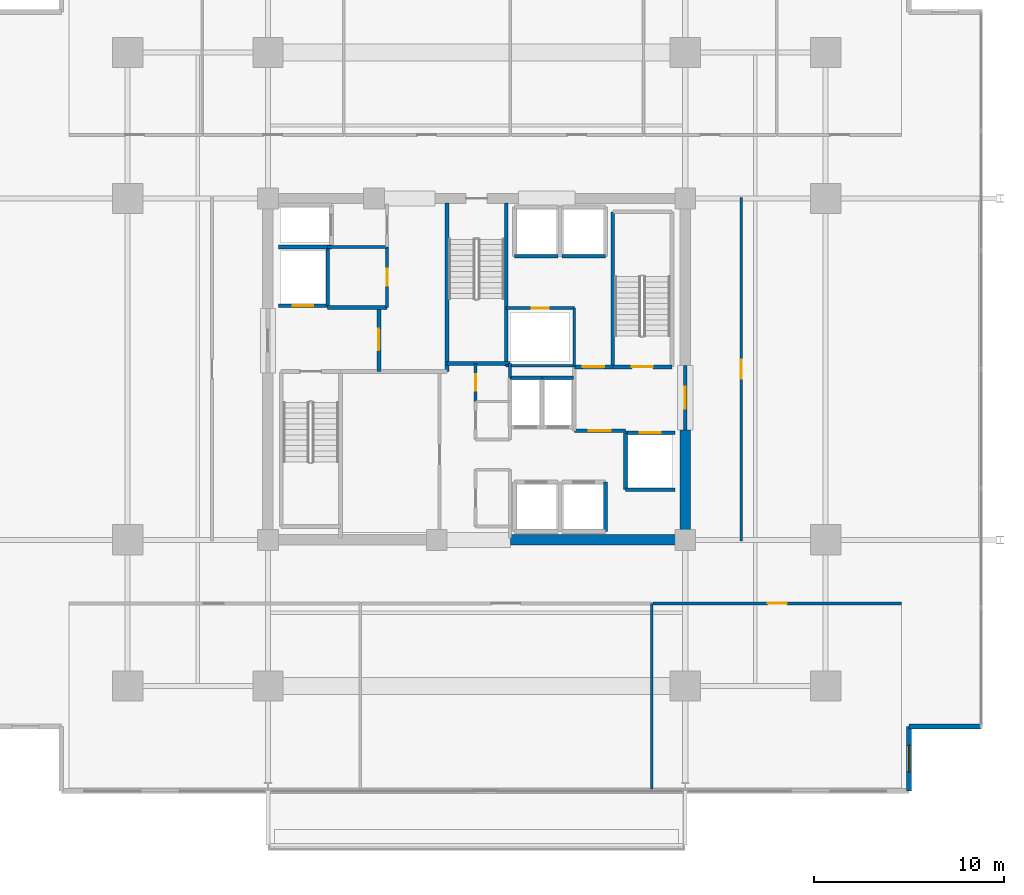
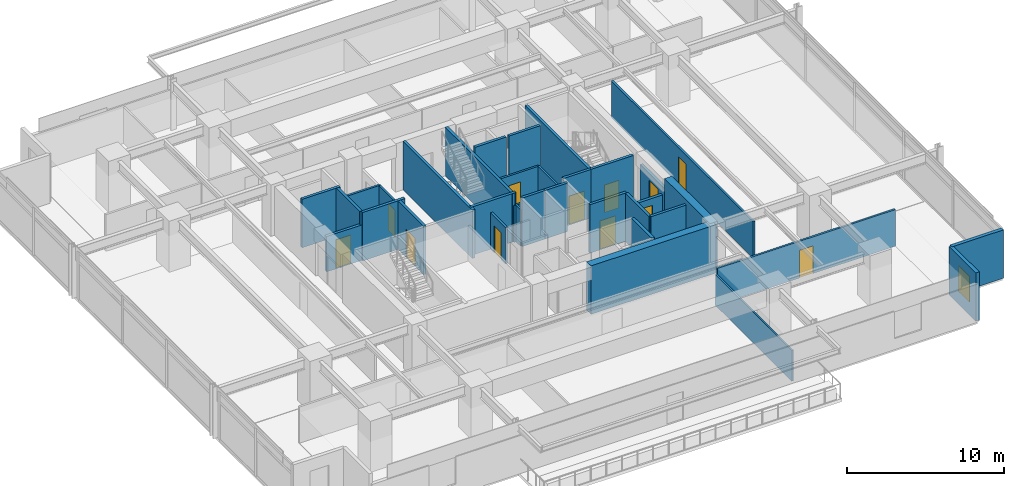
# One storey, part 15 of 21: 35 walls, 12 doors, 1 window, 13 openings.
"""IFC4 building model written with IfcOpenShell, lengths in metres."""

import ifcopenshell
import ifcopenshell.guid

model = None  # the IFC model being written
_history = None  # IfcOwnerHistory: only IFC2X3 demands one
_inside = {}  # id of a spatial element -> (the spatial element, [elements in it])
_under = {}  # id of a project, library or spatial element -> (it, [spatial elements below it])
_declared = {}  # id of a project -> (the project, [libraries it declares])
_typed = {}  # id of a type object -> (the type object, [elements of that type])
_made_of = {}  # id of a material, layer set ... -> (it, [elements and type objects made of it])


def new_model(schema):
    """Start an empty IFC model of exactly this schema.

    Asked for "IFC4X3", IfcOpenShell would pick the latest addendum, in which some entities
    have other attributes; the version numbers below select the first issue.
    IFC2X3 requires an IfcOwnerHistory on every rooted entity: one is made here for all.
    """
    global model, _history
    if schema == "IFC4X3":
        model = ifcopenshell.file(schema_version=(4, 3, 0, 0))
    else:
        model = ifcopenshell.file(schema=schema)
    _inside.clear()
    _under.clear()
    _declared.clear()
    _typed.clear()
    _made_of.clear()
    _history = None
    if model.schema == "IFC2X3":
        org = make("IfcOrganization", Name="unknown")
        user = make(
            "IfcPersonAndOrganization",
            ThePerson=make("IfcPerson", FamilyName="unknown"),
            TheOrganization=org,
        )
        app = make(
            "IfcApplication",
            ApplicationDeveloper=org,
            Version="unknown",
            ApplicationFullName="unknown",
            ApplicationIdentifier="unknown",
        )
        _history = make(
            "IfcOwnerHistory",
            OwningUser=user,
            OwningApplication=app,
            ChangeAction="ADDED",
            CreationDate=0,
        )
    return model


def make(cls, **values):
    """One entity of the class cls with the attributes given. An attribute that is None is left unset."""
    return model.create_entity(
        cls, **{name: value for name, value in values.items() if value is not None}
    )


def rooted(cls, **values):
    """An entity with a GlobalId (a new one), such as an element, a storey or a relation."""
    return make(cls, GlobalId=ifcopenshell.guid.new(), OwnerHistory=_history, **values)


def si_unit(unit_type, name, prefix=None):
    """IfcSIUnit, for example si_unit("LENGTHUNIT", "METRE", prefix="MILLI")."""
    return make("IfcSIUnit", UnitType=unit_type, Prefix=prefix, Name=name)


def assignment(units):
    """IfcUnitAssignment: the units of a project."""
    return None if units is None else make("IfcUnitAssignment", Units=units)


def point(xyz):
    """IfcCartesianPoint."""
    return None if xyz is None else make("IfcCartesianPoint", Coordinates=xyz)


def direction(xyz):
    """IfcDirection."""
    return None if xyz is None else make("IfcDirection", DirectionRatios=xyz)


def frame(location, z_axis=None, x_axis=None):
    """IfcAxis2Placement3D, a coordinate frame: its origin and axes. An axis left out is left unset."""
    return make(
        "IfcAxis2Placement3D",
        Location=point(location),
        Axis=direction(z_axis),
        RefDirection=direction(x_axis),
    )


def frame_2d(location, x_axis=None):
    """IfcAxis2Placement2D, a coordinate frame in the plane: its origin and x axis."""
    return make(
        "IfcAxis2Placement2D", Location=point(location), RefDirection=direction(x_axis)
    )


def origin():
    """The frame at (0, 0, 0) with its axes left unset."""
    return frame((0.0, 0.0, 0.0))


def place(relative_to, where):
    """IfcLocalPlacement: puts the frame where relative to a parent placement (None: the world)."""
    return make(
        "IfcLocalPlacement", PlacementRelTo=relative_to, RelativePlacement=where
    )


def context(
    kind, dimensions, precision=None, world=None, true_north=None, identifier=None
):
    """IfcGeometricRepresentationContext, for example the 3D "Model" context."""
    return make(
        "IfcGeometricRepresentationContext",
        ContextIdentifier=identifier,
        ContextType=kind,
        CoordinateSpaceDimension=dimensions,
        Precision=precision,
        WorldCoordinateSystem=world,
        TrueNorth=true_north,
    )


def subcontext(parent, identifier, kind, view, scale=None):
    """IfcGeometricRepresentationSubContext, for example "Body" below "Model"."""
    return make(
        "IfcGeometricRepresentationSubContext",
        ContextIdentifier=identifier,
        ContextType=kind,
        ParentContext=parent,
        TargetScale=scale,
        TargetView=view,
    )


def project(units=None, contexts=None):
    """IfcProject with its units and contexts."""
    return rooted(
        "IfcProject",
        Name="project",
        RepresentationContexts=contexts,
        UnitsInContext=assignment(units),
    )


def spatial(cls, under=None, at=None, **own):
    """A site, building, storey or space (cls), placed at a placement, below another one or the project."""
    s = rooted(cls, ObjectPlacement=at, **own)
    if under is not None:
        _under.setdefault(under.id(), (under, []))[1].append(s)
    return s


def profile(cls, at=None, kind="AREA", **sizes):
    """A parametric profile (cls). Its sizes go by their IFC names, for example OverallWidth=200.0."""
    return make(cls, ProfileType=kind, Position=at, **sizes)


def rectangle(**sizes):
    """IfcRectangleProfileDef."""
    return profile("IfcRectangleProfileDef", **sizes)


def extrude(swept, where, along, depth):
    """IfcExtrudedAreaSolid: the profile swept, set in the frame where, extruded along a direction by depth."""
    return make(
        "IfcExtrudedAreaSolid",
        SweptArea=swept,
        Position=where,
        ExtrudedDirection=direction(along),
        Depth=depth,
    )


def shape(context_of_items, identifier, shape_type, items):
    """IfcShapeRepresentation: the items that make up one representation, for example the "Body"."""
    return make(
        "IfcShapeRepresentation",
        ContextOfItems=context_of_items,
        RepresentationIdentifier=identifier,
        RepresentationType=shape_type,
        Items=items,
    )


def material(Name=None, Category=None):
    """IfcMaterial."""
    return make("IfcMaterial", Name=Name, Category=Category)


def layer(
    of_material, thickness, ventilated=None, Name=None, Category=None, Priority=None
):
    """IfcMaterialLayer: one layer of a wall or slab, of a material (None: an air gap)."""
    return make(
        "IfcMaterialLayer",
        Material=of_material,
        LayerThickness=thickness,
        IsVentilated=ventilated,
        Name=Name,
        Category=Category,
        Priority=Priority,
    )


def layer_set(layers, Name=None):
    """IfcMaterialLayerSet."""
    return make("IfcMaterialLayerSet", MaterialLayers=layers, LayerSetName=Name)


def made_of(thing, what):
    """Note that an element or type object is made of a material, layer set ...; save() writes the relation."""
    if what is not None:
        _made_of.setdefault(what.id(), (what, []))[1].append(thing)
    return thing


def type_object(cls, material=None, **own):
    """A type object (cls), such as IfcWallType, which elements share."""
    return made_of(rooted(cls, **own), material)


def element(
    cls,
    number,
    at=None,
    inside=None,
    cuts=None,
    type_object=None,
    material=None,
    context=None,
    identifier="Body",
    shape_type=None,
    held_by="IfcProductDefinitionShape",
    body=None,
    shapes=None,
    **own,
):
    """One element of the class cls, such as IfcWall. Its Tag is "e" and its number.

    at: its placement. inside: the storey or other place that contains it. cuts: it is an
    opening in that element (IfcRelVoidsElement). A single representation is given by context,
    identifier, shape_type and body (its items); several are given by shapes. held_by: the class
    of the entity that holds the representations. save() writes the other relations.
    """
    e = rooted(cls, Tag="e%d" % number, ObjectPlacement=at, **own)
    if body is not None:
        shapes = [shape(context, identifier, shape_type, body)]
    if shapes is not None:
        e.Representation = make(held_by, Representations=shapes)
    if inside is not None:
        _inside.setdefault(inside.id(), (inside, []))[1].append(e)
    if cuts is not None:
        rooted(
            "IfcRelVoidsElement", RelatingBuildingElement=cuts, RelatedOpeningElement=e
        )
    if type_object is not None:
        _typed.setdefault(type_object.id(), (type_object, []))[1].append(e)
    return made_of(e, material)


def fill(opening, filler):
    """IfcRelFillsElement: the door or window that sits in an opening."""
    return rooted(
        "IfcRelFillsElement",
        RelatingOpeningElement=opening,
        RelatedBuildingElement=filler,
    )


def aggregate(whole, parts):
    """IfcRelAggregates: a whole, such as a stair, and the parts it consists of."""
    return rooted("IfcRelAggregates", RelatingObject=whole, RelatedObjects=parts)


def save(model, path):
    """Write the relations noted so far, then the file.

    IfcRelAggregates (storeys below a building ...), IfcRelContainedInSpatialStructure (elements
    in a storey), IfcRelDefinesByType, IfcRelAssociatesMaterial and IfcRelDeclares: one each for
    every whole, place, type object, material and project.
    """
    for whole, parts in _under.values():
        aggregate(whole, parts)
    for where, things in _inside.values():
        rooted(
            "IfcRelContainedInSpatialStructure",
            RelatedElements=things,
            RelatingStructure=where,
        )
    for kind, things in _typed.values():
        rooted("IfcRelDefinesByType", RelatedObjects=things, RelatingType=kind)
    for what, things in _made_of.values():
        rooted("IfcRelAssociatesMaterial", RelatedObjects=things, RelatingMaterial=what)
    for by, libraries in _declared.values():
        rooted("IfcRelDeclares", RelatingContext=by, RelatedDefinitions=libraries)
    model.write(path)


model = new_model("IFC4")

# Units and contexts
model_context = context("Model", 3, precision=1e-05, world=origin(), true_north=direction((0.0, 1.0)))
body_context = subcontext(model_context, "Body", "Model", "MODEL_VIEW")
ifc_project = project(units=[si_unit("LENGTHUNIT", "METRE"), si_unit("AREAUNIT", "SQUARE_METRE"), si_unit("VOLUMEUNIT", "CUBIC_METRE"), si_unit("PLANEANGLEUNIT", "RADIAN"), si_unit("MASSUNIT", "GRAM", prefix="KILO")], contexts=[model_context])

# Site, building, storey
site_placement = place(None, origin())
site = spatial("IfcSite", under=ifc_project, at=site_placement, CompositionType="ELEMENT")
building_placement = place(site_placement, origin())
building = spatial("IfcBuilding", under=site, at=building_placement, Name="Kovane Verandah Tower", CompositionType="ELEMENT")
storey_placement = place(building_placement, frame((0.0, 0.0, 152.39990234375)))
storey = spatial("IfcBuildingStorey", under=building, at=storey_placement, Name="L35", CompositionType="ELEMENT", Elevation=152.39990234375)

# Wall
ifc_material_1 = material(Name="Fire-Rated Gypsum Stud Partition", Category="gypsum")
ifc_layer_1 = layer(ifc_material_1, 0.14990234375)
ifc_layer_set_1 = layer_set([ifc_layer_1], Name="Fire-Rated Gypsum Stud Partition")
wall_type_1 = type_object("IfcWallType", Name="WL-COR-150", PredefinedType="PARTITIONING", material=ifc_layer_set_1)
wall_1_placement = place(storey_placement, frame((41.760009765625, 27.050048828125, 0.0), z_axis=(0.0, 0.0, 1.0), x_axis=(0.0, 1.0, 0.0)))
element("IfcWall", 1, at=wall_1_placement, inside=storey, type_object=wall_type_1, Name="L35 Central Core Strip Upper East Wall", PredefinedType="PARTITIONING", context=body_context, shape_type="SweptSolid", body=[
    extrude(rectangle(XDim=0.75, YDim=0.14990234375, at=frame_2d((0.375, 0.0))), origin(), (0.0, 0.0, 1.0), 2.85009765625),
])

# Wall, opening, door
wall_2_placement = place(storey_placement, frame((39.949951171875, 25.800048828125, 0.0), z_axis=(0.0, 0.0, 1.0), x_axis=(0.0, 1.0, 0.0)))
wall_2 = element("IfcWall", 2, at=wall_2_placement, inside=storey, type_object=wall_type_1, Name="L35 Telecom and BMS Riser Room Partition", PredefinedType="PARTITIONING", context=body_context, shape_type="SweptSolid", body=[
    extrude(rectangle(XDim=2.0, YDim=0.14990234375, at=frame_2d((1.0, 0.0))), origin(), (0.0, 0.0, 1.0), 2.85009765625),
])
opening_1_placement = place(wall_2_placement, frame((0.56005859375, 0.0, 0.0)))
opening_1 = element("IfcOpeningElement", 3, at=opening_1_placement, cuts=wall_2, Name="Opening DR-L35-024", PredefinedType="OPENING", context=body_context, shape_type="SweptSolid", body=[
    extrude(rectangle(XDim=0.8798828125, YDim=2.10009765625, at=frame_2d((0.43994140625, 1.050048828125))), frame((0.0, 0.074951171875, 0.0), z_axis=(0.0, -1.0, 0.0), x_axis=(1.0, 0.0, 0.0)), (0.0, 0.0, 1.0), 0.14990234375),
])
ifc_material_2 = material(Name="Fire-Rated Steel Riser Access Door", Category="steel")
door_type_1 = type_object("IfcDoorType", Name="DR-RISER-880", OperationType="SINGLE_SWING_LEFT", PredefinedType="DOOR", material=ifc_material_2)
door_1_placement = place(opening_1_placement, origin())
door_1 = element("IfcDoor", 4, at=door_1_placement, inside=storey, type_object=door_type_1, Name="L35 Telecom and BMS Riser Room Door", OperationType="SINGLE_SWING_LEFT", OverallHeight=2.10009765625, OverallWidth=0.8798828125, PredefinedType="DOOR", context=body_context, shape_type="SweptSolid", body=[
    extrude(rectangle(XDim=0.8798828125, YDim=2.10009765625, at=frame_2d((0.43994140625, 1.050048828125))), frame((0.0, 0.02490234375, 0.0), z_axis=(0.0, -1.0, 0.0), x_axis=(1.0, 0.0, 0.0)), (0.0, 0.0, 1.0), 0.050048828125),
])
fill(opening_1, door_1)

# Wall
wall_3_placement = place(storey_placement, frame((32.14990234375, 33.949951171875, 0.0), z_axis=(0.0, 0.0, 1.0), x_axis=(1.0, 0.0, 0.0)))
element("IfcWall", 5, at=wall_3_placement, inside=storey, type_object=wall_type_1, Name="L35 Goods Lift Lobby South Wall", PredefinedType="PARTITIONING", context=body_context, shape_type="SweptSolid", body=[
    extrude(rectangle(XDim=3.130126953125, YDim=0.14990234375, at=frame_2d((1.56494140625, 0.0))), origin(), (0.0, 0.0, 1.0), 2.85009765625),
])

# Wall, opening, door
wall_4_placement = place(storey_placement, frame((35.280029296875, 30.75, 0.0), z_axis=(0.0, 0.0, 1.0), x_axis=(0.0, 1.0, 0.0)))
wall_4 = element("IfcWall", 6, at=wall_4_placement, inside=storey, type_object=wall_type_1, Name="L35 Accessible Unisex Toilet Partition", PredefinedType="PARTITIONING", context=body_context, shape_type="SweptSolid", body=[
    extrude(rectangle(XDim=3.199951171875, YDim=0.14990234375, at=frame_2d((1.60009765625, 0.0))), origin(), (0.0, 0.0, 1.0), 2.85009765625),
])
opening_2_placement = place(wall_4_placement, frame((1.14990234375, 0.0, 0.0)))
opening_2 = element("IfcOpeningElement", 7, at=opening_2_placement, cuts=wall_4, Name="Opening DR-L35-025", PredefinedType="OPENING", context=body_context, shape_type="SweptSolid", body=[
    extrude(rectangle(XDim=0.89990234375, YDim=2.10009765625, at=frame_2d((0.449951171875, 1.050048828125))), frame((0.0, 0.074951171875, 0.0), z_axis=(0.0, -1.0, 0.0), x_axis=(1.0, 0.0, 0.0)), (0.0, 0.0, 1.0), 0.14990234375),
])
ifc_material_3 = material(Name="Moisture-Resistant Laminate Washroom Door", Category="wood")
door_type_2 = type_object("IfcDoorType", Name="DR-WC-900", OperationType="SINGLE_SWING_LEFT", PredefinedType="DOOR", material=ifc_material_3)
door_2_placement = place(opening_2_placement, origin())
door_2 = element("IfcDoor", 8, at=door_2_placement, inside=storey, type_object=door_type_2, Name="L35 Accessible Unisex Toilet Door", OperationType="SINGLE_SWING_LEFT", OverallHeight=2.10009765625, OverallWidth=0.89990234375, PredefinedType="DOOR", context=body_context, shape_type="SweptSolid", body=[
    extrude(rectangle(XDim=0.89990234375, YDim=2.10009765625, at=frame_2d((0.449951171875, 1.050048828125))), frame((0.0, 0.02490234375, 0.0), z_axis=(0.0, -1.0, 0.0), x_axis=(1.0, 0.0, 0.0)), (0.0, 0.0, 1.0), 0.050048828125),
])
fill(opening_2, door_2)

# Walls
wall_5_placement = place(storey_placement, frame((41.56005859375, 27.679931640625, 0.0), z_axis=(0.0, 0.0, 1.0), x_axis=(1.0, 0.0, 0.0)))
element("IfcWall", 9, at=wall_5_placement, inside=storey, type_object=wall_type_1, Name="L35 East Core Service Riser South Wall", PredefinedType="PARTITIONING", context=body_context, shape_type="SweptSolid", body=[
    extrude(rectangle(XDim=3.58984375, YDim=0.14990234375, at=frame_2d((1.794921875, 0.0))), origin(), (0.0, 0.0, 1.0), 2.85009765625),
])
wall_6_placement = place(storey_placement, frame((45.14990234375, 27.6201171875, 0.0), z_axis=(0.0, 0.0, 1.0), x_axis=(0.0, 1.0, 0.0)))
element("IfcWall", 10, at=wall_6_placement, inside=storey, type_object=wall_type_1, Name="L35 East Core Service Riser East Wall", PredefinedType="PARTITIONING", context=body_context, shape_type="SweptSolid", body=[
    extrude(rectangle(XDim=3.099853515625, YDim=0.14990234375, at=frame_2d((1.5498046875, 0.0))), origin(), (0.0, 0.0, 1.0), 2.85009765625),
])

# Wall, opening, door
wall_7_placement = place(storey_placement, frame((41.56005859375, 30.719970703125, 0.0), z_axis=(0.0, 0.0, 1.0), x_axis=(1.0, 0.0, 0.0)))
wall_7 = element("IfcWall", 11, at=wall_7_placement, inside=storey, type_object=wall_type_1, Name="L35 Combined Chilled Water and Smoke Duct Room Partition", PredefinedType="PARTITIONING", context=body_context, shape_type="SweptSolid", body=[
    extrude(rectangle(XDim=3.58984375, YDim=0.14990234375, at=frame_2d((1.794921875, 0.0))), origin(), (0.0, 0.0, 1.0), 2.85009765625),
])
opening_3_placement = place(wall_7_placement, frame((1.35498046875, 0.0, 0.0)))
opening_3 = element("IfcOpeningElement", 12, at=opening_3_placement, cuts=wall_7, Name="Opening DR-L35-014", PredefinedType="OPENING", context=body_context, shape_type="SweptSolid", body=[
    extrude(rectangle(XDim=0.8798828125, YDim=2.10009765625, at=frame_2d((0.43994140625, 1.050048828125))), frame((0.0, 0.074951171875, 0.0), z_axis=(0.0, -1.0, 0.0), x_axis=(1.0, 0.0, 0.0)), (0.0, 0.0, 1.0), 0.14990234375),
])
door_3_placement = place(opening_3_placement, origin())
door_3 = element("IfcDoor", 13, at=door_3_placement, inside=storey, type_object=door_type_1, Name="L35 Combined Chilled Water and Smoke Duct Room Door", OperationType="SINGLE_SWING_LEFT", OverallHeight=2.10009765625, OverallWidth=0.8798828125, PredefinedType="DOOR", context=body_context, shape_type="SweptSolid", body=[
    extrude(rectangle(XDim=0.8798828125, YDim=2.10009765625, at=frame_2d((0.43994140625, 1.050048828125))), frame((0.0, 0.02490234375, 0.0), z_axis=(0.0, -1.0, 0.0), x_axis=(1.0, 0.0, 0.0)), (0.0, 0.0, 1.0), 0.050048828125),
])
fill(opening_3, door_3)

wall_8_placement = place(storey_placement, frame((49.305419921875, 15.14990234375, 0.0), z_axis=(0.0, 0.0, 1.0), x_axis=(1.0, 0.0, 0.0)))
wall_8 = element("IfcWall", 14, at=wall_8_placement, inside=storey, type_object=wall_type_1, Name="L35 Meeting Room S3 Corridor Partition", PredefinedType="PARTITIONING", context=body_context, shape_type="SweptSolid", body=[
    extrude(rectangle(XDim=13.1005859375, YDim=0.14990234375, at=frame_2d((6.55029296875, 0.0))), origin(), (0.0, 0.0, 1.0), 2.85009765625),
])
opening_4_placement = place(wall_8_placement, frame((6.05029296875, 0.0, 0.0)))
opening_4 = element("IfcOpeningElement", 15, at=opening_4_placement, cuts=wall_8, Name="Opening DR-L35-023", PredefinedType="OPENING", context=body_context, shape_type="SweptSolid", body=[
    extrude(rectangle(XDim=1.0, YDim=2.14990234375, at=frame_2d((0.5, 1.074951171875))), frame((0.0, 0.074951171875, 0.0), z_axis=(0.0, -1.0, 0.0), x_axis=(1.0, 0.0, 0.0)), (0.0, 0.0, 1.0), 0.14990234375),
])
ifc_material_4 = material(Name="FSC Spotted-Gum Timber Fire-Rated Office Door", Category="wood")
door_type_3 = type_object("IfcDoorType", Name="DR-OFF-1000", OperationType="SINGLE_SWING_LEFT", PredefinedType="DOOR", material=ifc_material_4)
door_4_placement = place(opening_4_placement, origin())
door_4 = element("IfcDoor", 16, at=door_4_placement, inside=storey, type_object=door_type_3, Name="L35 Meeting Room S3 Entrance Door", OperationType="SINGLE_SWING_RIGHT", OverallHeight=2.14990234375, OverallWidth=1.0, PredefinedType="DOOR", context=body_context, shape_type="SweptSolid", body=[
    extrude(rectangle(XDim=1.0, YDim=2.14990234375, at=frame_2d((0.5, 1.074951171875))), frame((0.0, 0.02490234375, 0.0), z_axis=(0.0, -1.0, 0.0), x_axis=(1.0, 0.0, 0.0)), (0.0, 0.0, 1.0), 0.050048828125),
])
fill(opening_4, door_4)

wall_9_placement = place(storey_placement, frame((53.949951171875, 18.449951171875, 0.0), z_axis=(0.0, 0.0, 1.0), x_axis=(0.0, 1.0, 0.0)))
wall_9 = element("IfcWall", 17, at=wall_9_placement, inside=storey, type_object=wall_type_1, Name="L35 Breakout Pantry E1 Corridor Partition", PredefinedType="PARTITIONING", context=body_context, shape_type="SweptSolid", body=[
    extrude(rectangle(XDim=18.10009765625, YDim=0.14990234375, at=frame_2d((9.050048828125, 0.0))), origin(), (0.0, 0.0, 1.0), 2.85009765625),
])
opening_5_placement = place(wall_9_placement, frame((8.550048828125, 0.0, 0.0)))
opening_5 = element("IfcOpeningElement", 18, at=opening_5_placement, cuts=wall_9, Name="Opening DR-L35-012", PredefinedType="OPENING", context=body_context, shape_type="SweptSolid", body=[
    extrude(rectangle(XDim=1.0, YDim=2.14990234375, at=frame_2d((0.5, 1.074951171875))), frame((0.0, 0.074951171875, 0.0), z_axis=(0.0, -1.0, 0.0), x_axis=(1.0, 0.0, 0.0)), (0.0, 0.0, 1.0), 0.14990234375),
])
door_5_placement = place(opening_5_placement, origin())
door_5 = element("IfcDoor", 19, at=door_5_placement, inside=storey, type_object=door_type_3, Name="L35 Breakout Pantry E1 Entrance Door", OperationType="SINGLE_SWING_RIGHT", OverallHeight=2.14990234375, OverallWidth=1.0, PredefinedType="DOOR", context=body_context, shape_type="SweptSolid", body=[
    extrude(rectangle(XDim=1.0, YDim=2.14990234375, at=frame_2d((0.5, 1.074951171875))), frame((0.0, 0.02490234375, 0.0), z_axis=(0.0, -1.0, 0.0), x_axis=(1.0, 0.0, 0.0)), (0.0, 0.0, 1.0), 0.050048828125),
])
fill(opening_5, door_5)

# Walls
ifc_material_5 = material(Name="Concrete C60/75", Category="concrete")
ifc_layer_2 = layer(ifc_material_5, 0.550048828125)
ifc_layer_set_2 = layer_set([ifc_layer_2], Name="Concrete C60/75")
wall_type_2 = type_object("IfcWallType", Name="WL-CORE-550", PredefinedType="SHEAR", material=ifc_layer_set_2)
wall_10_placement = place(storey_placement, frame((41.800048828125, 18.5, 0.0), z_axis=(0.0, 0.0, 1.0), x_axis=(1.0, 0.0, 0.0)))
element("IfcWall", 20, at=wall_10_placement, inside=storey, type_object=wall_type_2, Name="L35 Core Shear Wall CS-2", PredefinedType="SHEAR", context=body_context, shape_type="SweptSolid", body=[
    extrude(rectangle(XDim=9.199951171875, YDim=0.550048828125, at=frame_2d((4.60009765625, 0.0))), origin(), (0.0, 0.0, 1.0), 3.775146484375),
])
wall_11_placement = place(storey_placement, frame((51.0, 18.5, 0.0), z_axis=(0.0, 0.0, 1.0), x_axis=(0.0, 1.0, 0.0)))
element("IfcWall", 21, at=wall_11_placement, inside=storey, type_object=wall_type_2, Name="L35 Core Shear Wall CE-1", PredefinedType="SHEAR", context=body_context, shape_type="SweptSolid", body=[
    extrude(rectangle(XDim=5.800048828125, YDim=0.550048828125, at=frame_2d((2.89990234375, 0.0))), origin(), (0.0, 0.0, 1.0), 3.775146484375),
])

# Wall, opening, door
ifc_material_6 = material(Name="Concrete C45/55 Fire Wall", Category="concrete")
ifc_layer_3 = layer(ifc_material_6, 0.199951171875)
ifc_layer_set_3 = layer_set([ifc_layer_3], Name="Concrete C45/55 Fire Wall")
wall_type_3 = type_object("IfcWallType", Name="WL-FFL-200", PredefinedType="PARTITIONING", material=ifc_layer_set_3)
wall_12_placement = place(storey_placement, frame((34.85009765625, 27.3798828125, 0.0), z_axis=(0.0, 0.0, 1.0), x_axis=(0.0, 1.0, 0.0)))
wall_12 = element("IfcWall", 22, at=wall_12_placement, inside=storey, type_object=wall_type_3, Name="W-L35-FFLW-E", PredefinedType="PARTITIONING", context=body_context, shape_type="SweptSolid", body=[
    extrude(rectangle(XDim=3.3701171875, YDim=0.199951171875, at=frame_2d((1.68505859375, 0.0))), origin(), (0.0, 0.0, 1.0), 3.775146484375),
])
opening_6_placement = place(wall_12_placement, frame((1.110107421875, 0.0, 0.0)))
opening_6 = element("IfcOpeningElement", 23, at=opening_6_placement, cuts=wall_12, Name="Opening DR-L35-006", PredefinedType="OPENING", context=body_context, shape_type="SweptSolid", body=[
    extrude(rectangle(XDim=1.14990234375, YDim=2.199951171875, at=frame_2d((0.574951171875, 1.10009765625))), frame((0.0, 0.10009765625, 0.0), z_axis=(0.0, -1.0, 0.0), x_axis=(1.0, 0.0, 0.0)), (0.0, 0.0, 1.0), 0.199951171875),
])
ifc_material_7 = material(Name="Smoke-Sealed Firefighting Lobby Door", Category="steel")
door_type_4 = type_object("IfcDoorType", Name="DR-FFL-1150", OperationType="SINGLE_SWING_LEFT", PredefinedType="DOOR", material=ifc_material_7)
door_6_placement = place(opening_6_placement, origin())
door_6 = element("IfcDoor", 24, at=door_6_placement, inside=storey, type_object=door_type_4, Name="L35 West Firefighting Lobby Inner Door", OperationType="SINGLE_SWING_LEFT", OverallHeight=2.199951171875, OverallWidth=1.14990234375, PredefinedType="DOOR", context=body_context, shape_type="SweptSolid", body=[
    extrude(rectangle(XDim=1.14990234375, YDim=2.199951171875, at=frame_2d((0.574951171875, 1.10009765625))), frame((0.0, 0.02490234375, 0.0), z_axis=(0.0, -1.0, 0.0), x_axis=(1.0, 0.0, 0.0)), (0.0, 0.0, 1.0), 0.050048828125),
])
fill(opening_6, door_6)

# Wall
wall_13_placement = place(storey_placement, frame((32.14990234375, 30.75, 0.0), z_axis=(0.0, 0.0, 1.0), x_axis=(1.0, 0.0, 0.0)))
element("IfcWall", 25, at=wall_13_placement, inside=storey, type_object=wall_type_3, Name="L35 West Firefighting Lobby North Fire Wall", PredefinedType="PARTITIONING", context=body_context, shape_type="SweptSolid", body=[
    extrude(rectangle(XDim=3.130126953125, YDim=0.199951171875, at=frame_2d((1.56494140625, 0.0))), origin(), (0.0, 0.0, 1.0), 3.775146484375),
])

# Wall, opening, door
wall_14_placement = place(storey_placement, frame((45.14990234375, 24.25, 0.0), z_axis=(0.0, 0.0, 1.0), x_axis=(1.0, 0.0, 0.0)))
wall_14 = element("IfcWall", 26, at=wall_14_placement, inside=storey, type_object=wall_type_3, Name="W-L35-FFLE-S", PredefinedType="PARTITIONING", context=body_context, shape_type="SweptSolid", body=[
    extrude(rectangle(XDim=2.7001953125, YDim=0.199951171875, at=frame_2d((1.35009765625, 0.0))), origin(), (0.0, 0.0, 1.0), 3.775146484375),
])
opening_7_placement = place(wall_14_placement, frame((0.77490234375, 0.0, 0.0)))
opening_7 = element("IfcOpeningElement", 27, at=opening_7_placement, cuts=wall_14, Name="Opening DR-L35-003", PredefinedType="OPENING", context=body_context, shape_type="SweptSolid", body=[
    extrude(rectangle(XDim=1.14990234375, YDim=2.199951171875, at=frame_2d((0.574951171875, 1.10009765625))), frame((0.0, 0.10009765625, 0.0), z_axis=(0.0, -1.0, 0.0), x_axis=(1.0, 0.0, 0.0)), (0.0, 0.0, 1.0), 0.199951171875),
])
door_7_placement = place(opening_7_placement, origin())
door_7 = element("IfcDoor", 28, at=door_7_placement, inside=storey, type_object=door_type_4, Name="L35 East Firefighting Lobby Inner Door", OperationType="SINGLE_SWING_RIGHT", OverallHeight=2.199951171875, OverallWidth=1.14990234375, PredefinedType="DOOR", context=body_context, shape_type="SweptSolid", body=[
    extrude(rectangle(XDim=1.14990234375, YDim=2.199951171875, at=frame_2d((0.574951171875, 1.10009765625))), frame((0.0, 0.02490234375, 0.0), z_axis=(0.0, -1.0, 0.0), x_axis=(1.0, 0.0, 0.0)), (0.0, 0.0, 1.0), 0.050048828125),
])
fill(opening_7, door_7)

wall_15_placement = place(storey_placement, frame((45.14990234375, 27.6201171875, 0.0), z_axis=(0.0, 0.0, 1.0), x_axis=(1.0, 0.0, 0.0)))
wall_15 = element("IfcWall", 29, at=wall_15_placement, inside=storey, type_object=wall_type_3, Name="W-L35-FFLE-N", PredefinedType="PARTITIONING", context=body_context, shape_type="SweptSolid", body=[
    extrude(rectangle(XDim=2.030029296875, YDim=0.199951171875, at=frame_2d((1.01513671875, 0.0))), origin(), (0.0, 0.0, 1.0), 3.775146484375),
])
opening_8_placement = place(wall_15_placement, frame((0.43994140625, 0.0, 0.0)))
opening_8 = element("IfcOpeningElement", 30, at=opening_8_placement, cuts=wall_15, Name="Opening DR-L35-004", PredefinedType="OPENING", context=body_context, shape_type="SweptSolid", body=[
    extrude(rectangle(XDim=1.14990234375, YDim=2.199951171875, at=frame_2d((0.574951171875, 1.10009765625))), frame((0.0, 0.10009765625, 0.0), z_axis=(0.0, -1.0, 0.0), x_axis=(1.0, 0.0, 0.0)), (0.0, 0.0, 1.0), 0.199951171875),
])
door_8_placement = place(opening_8_placement, origin())
door_8 = element("IfcDoor", 31, at=door_8_placement, inside=storey, type_object=door_type_4, Name="L35 East Firefighting Lobby Shuttle Link Door", OperationType="SINGLE_SWING_LEFT", OverallHeight=2.199951171875, OverallWidth=1.14990234375, PredefinedType="DOOR", context=body_context, shape_type="SweptSolid", body=[
    extrude(rectangle(XDim=1.14990234375, YDim=2.199951171875, at=frame_2d((0.574951171875, 1.10009765625))), frame((0.0, 0.02490234375, 0.0), z_axis=(0.0, -1.0, 0.0), x_axis=(1.0, 0.0, 0.0)), (0.0, 0.0, 1.0), 0.050048828125),
])
fill(opening_8, door_8)

wall_16_placement = place(storey_placement, frame((51.0, 24.300048828125, 0.0), z_axis=(0.0, 0.0, 1.0), x_axis=(0.0, 1.0, 0.0)))
wall_16 = element("IfcWall", 32, at=wall_16_placement, inside=storey, type_object=wall_type_3, Name="W-L35-FFLE-OUT", PredefinedType="PARTITIONING", context=body_context, shape_type="SweptSolid", body=[
    extrude(rectangle(XDim=3.39990234375, YDim=0.199951171875, at=frame_2d((1.699951171875, 0.0))), origin(), (0.0, 0.0, 1.0), 2.755126953125),
])
opening_9_placement = place(wall_16_placement, frame((1.125, 0.0, 0.0)))
opening_9 = element("IfcOpeningElement", 33, at=opening_9_placement, cuts=wall_16, Name="Opening DR-L35-005", PredefinedType="OPENING", context=body_context, shape_type="SweptSolid", body=[
    extrude(rectangle(XDim=1.14990234375, YDim=2.199951171875, at=frame_2d((0.574951171875, 1.10009765625))), frame((0.0, 0.10009765625, 0.0), z_axis=(0.0, -1.0, 0.0), x_axis=(1.0, 0.0, 0.0)), (0.0, 0.0, 1.0), 0.199951171875),
])
door_9_placement = place(opening_9_placement, origin())
door_9 = element("IfcDoor", 34, at=door_9_placement, inside=storey, type_object=door_type_4, Name="L35 East Firefighting Lobby Corridor Door", OperationType="SINGLE_SWING_LEFT", OverallHeight=2.199951171875, OverallWidth=1.14990234375, PredefinedType="DOOR", context=body_context, shape_type="SweptSolid", body=[
    extrude(rectangle(XDim=1.14990234375, YDim=2.199951171875, at=frame_2d((0.574951171875, 1.10009765625))), frame((0.0, 0.02490234375, 0.0), z_axis=(0.0, -1.0, 0.0), x_axis=(1.0, 0.0, 0.0)), (0.0, 0.0, 1.0), 0.050048828125),
])
fill(opening_9, door_9)

ifc_material_8 = material(Name="Concrete C45/55 Lift Shaft Wall", Category="concrete")
ifc_layer_4 = layer(ifc_material_8, 0.199951171875)
ifc_layer_set_4 = layer_set([ifc_layer_4], Name="Concrete C45/55 Lift Shaft Wall")
wall_type_4 = type_object("IfcWallType", Name="WL-LIFT-200", PredefinedType="SOLIDWALL", material=ifc_layer_set_4)
wall_17_placement = place(storey_placement, frame((29.550048828125, 30.85009765625, 0.0), z_axis=(0.0, 0.0, 1.0), x_axis=(1.0, 0.0, 0.0)))
wall_17 = element("IfcWall", 35, at=wall_17_placement, inside=storey, type_object=wall_type_4, Name="L35 Lift FL-01 S Shaft Wall", PredefinedType="SOLIDWALL", context=body_context, shape_type="SweptSolid", body=[
    extrude(rectangle(XDim=2.599853515625, YDim=0.199951171875, at=frame_2d((1.2998046875, 0.0))), origin(), (0.0, 0.0, 1.0), 2.755126953125),
])
opening_10_placement = place(wall_17_placement, frame((0.75, 0.0, 0.0)))
opening_10 = element("IfcOpeningElement", 36, at=opening_10_placement, cuts=wall_17, Name="Opening LD-L35-001", PredefinedType="OPENING", context=body_context, shape_type="SweptSolid", body=[
    extrude(rectangle(XDim=1.10009765625, YDim=2.199951171875, at=frame_2d((0.550048828125, 1.10009765625))), frame((0.0, 0.10009765625, 0.0), z_axis=(0.0, -1.0, 0.0), x_axis=(1.0, 0.0, 0.0)), (0.0, 0.0, 1.0), 0.199951171875),
])
ifc_material_9 = material(Name="Brushed Stainless Steel Sliding Lift Landing Door", Category="steel")
door_type_5 = type_object("IfcDoorType", Name="DR-LIFT-1100", OperationType="SLIDING_TO_RIGHT", PredefinedType="DOOR", material=ifc_material_9)
door_10_placement = place(opening_10_placement, origin())
door_10 = element("IfcDoor", 37, at=door_10_placement, inside=storey, type_object=door_type_5, Name="L35 Lift FL-01 Sliding Landing Door", OperationType="SLIDING_TO_RIGHT", OverallHeight=2.199951171875, OverallWidth=1.10009765625, PredefinedType="DOOR", context=body_context, shape_type="SweptSolid", body=[
    extrude(rectangle(XDim=1.10009765625, YDim=2.199951171875, at=frame_2d((0.550048828125, 1.10009765625))), frame((0.0, 0.02490234375, 0.0), z_axis=(0.0, -1.0, 0.0), x_axis=(1.0, 0.0, 0.0)), (0.0, 0.0, 1.0), 0.050048828125),
])
fill(opening_10, door_10)

# Walls
wall_18_placement = place(storey_placement, frame((29.550048828125, 33.949951171875, 0.0), z_axis=(0.0, 0.0, 1.0), x_axis=(1.0, 0.0, 0.0)))
element("IfcWall", 38, at=wall_18_placement, inside=storey, type_object=wall_type_4, Name="L35 Lift FL-01 and GL-01 Shared Shaft Wall", PredefinedType="SOLIDWALL", context=body_context, shape_type="SweptSolid", body=[
    extrude(rectangle(XDim=2.800048828125, YDim=0.199951171875, at=frame_2d((1.39990234375, 0.0))), origin(), (0.0, 0.0, 1.0), 3.775146484375),
])
wall_19_placement = place(storey_placement, frame((32.14990234375, 30.85009765625, 0.0), z_axis=(0.0, 0.0, 1.0), x_axis=(0.0, 1.0, 0.0)))
element("IfcWall", 39, at=wall_19_placement, inside=storey, type_object=wall_type_4, Name="L35 Lift FL-01 E Shaft Wall", PredefinedType="SOLIDWALL", context=body_context, shape_type="SweptSolid", body=[
    extrude(rectangle(XDim=3.0, YDim=0.199951171875, at=frame_2d((1.5, 0.0))), origin(), (0.0, 0.0, 1.0), 3.775146484375),
])
wall_20_placement = place(storey_placement, frame((47.85009765625, 21.14990234375, 0.0), z_axis=(0.0, 0.0, 1.0), x_axis=(1.0, 0.0, 0.0)))
element("IfcWall", 40, at=wall_20_placement, inside=storey, type_object=wall_type_4, Name="L35 Lift FL-02 S Shaft Wall", PredefinedType="SOLIDWALL", context=body_context, shape_type="SweptSolid", body=[
    extrude(rectangle(XDim=2.599853515625, YDim=0.199951171875, at=frame_2d((1.2998046875, 0.0))), origin(), (0.0, 0.0, 1.0), 3.775146484375),
])

# Wall, opening, door
wall_21_placement = place(storey_placement, frame((50.449951171875, 24.14990234375, 0.0), z_axis=(0.0, 0.0, 1.0), x_axis=(-1.0, 0.0, 0.0)))
wall_21 = element("IfcWall", 41, at=wall_21_placement, inside=storey, type_object=wall_type_4, Name="L35 Lift FL-02 N Shaft Wall", PredefinedType="SOLIDWALL", context=body_context, shape_type="SweptSolid", body=[
    extrude(rectangle(XDim=2.599853515625, YDim=0.199951171875, at=frame_2d((1.2998046875, 0.0))), origin(), (0.0, 0.0, 1.0), 2.755126953125),
])
opening_11_placement = place(wall_21_placement, frame((0.75, 0.0, 0.0)))
opening_11 = element("IfcOpeningElement", 42, at=opening_11_placement, cuts=wall_21, Name="Opening LD-L35-002", PredefinedType="OPENING", context=body_context, shape_type="SweptSolid", body=[
    extrude(rectangle(XDim=1.10009765625, YDim=2.199951171875, at=frame_2d((0.550048828125, 1.10009765625))), frame((0.0, 0.10009765625, 0.0), z_axis=(0.0, -1.0, 0.0), x_axis=(1.0, 0.0, 0.0)), (0.0, 0.0, 1.0), 0.199951171875),
])
door_11_placement = place(opening_11_placement, origin())
door_11 = element("IfcDoor", 43, at=door_11_placement, inside=storey, type_object=door_type_5, Name="L35 Lift FL-02 Sliding Landing Door", OperationType="SLIDING_TO_RIGHT", OverallHeight=2.199951171875, OverallWidth=1.10009765625, PredefinedType="DOOR", context=body_context, shape_type="SweptSolid", body=[
    extrude(rectangle(XDim=1.10009765625, YDim=2.199951171875, at=frame_2d((0.550048828125, 1.10009765625))), frame((0.0, 0.02490234375, 0.0), z_axis=(0.0, -1.0, 0.0), x_axis=(1.0, 0.0, 0.0)), (0.0, 0.0, 1.0), 0.050048828125),
])
fill(opening_11, door_11)

# Walls
wall_22_placement = place(storey_placement, frame((47.85009765625, 24.14990234375, 0.0), z_axis=(0.0, 0.0, 1.0), x_axis=(0.0, -1.0, 0.0)))
element("IfcWall", 44, at=wall_22_placement, inside=storey, type_object=wall_type_4, Name="L35 Lift FL-02 W Shaft Wall", PredefinedType="SOLIDWALL", context=body_context, shape_type="SweptSolid", body=[
    extrude(rectangle(XDim=3.0, YDim=0.199951171875, at=frame_2d((1.5, 0.0))), origin(), (0.0, 0.0, 1.0), 3.775146484375),
])
wall_23_placement = place(storey_placement, frame((46.800048828125, 18.949951171875, 0.0), z_axis=(0.0, 0.0, 1.0), x_axis=(0.0, 1.0, 0.0)))
element("IfcWall", 45, at=wall_23_placement, inside=storey, type_object=wall_type_4, Name="L35 Lift PL-M2 E Shaft Wall", PredefinedType="SOLIDWALL", context=body_context, shape_type="SweptSolid", body=[
    extrude(rectangle(XDim=2.60009765625, YDim=0.199951171875, at=frame_2d((1.300048828125, 0.0))), origin(), (0.0, 0.0, 1.0), 3.775146484375),
])
wall_24_placement = place(storey_placement, frame((43.43994140625, 27.050048828125, 0.0), z_axis=(0.0, 0.0, 1.0), x_axis=(-1.0, 0.0, 0.0)))
element("IfcWall", 46, at=wall_24_placement, inside=storey, type_object=wall_type_4, Name="L35 Lift PL-M3 N Shaft Wall", PredefinedType="SOLIDWALL", context=body_context, shape_type="SweptSolid", body=[
    extrude(rectangle(XDim=1.679931640625, YDim=0.199951171875, at=frame_2d((0.83984375, 0.0))), origin(), (0.0, 0.0, 1.0), 3.775146484375),
])
wall_25_placement = place(storey_placement, frame((45.1201171875, 27.050048828125, 0.0), z_axis=(0.0, 0.0, 1.0), x_axis=(-1.0, 0.0, 0.0)))
element("IfcWall", 47, at=wall_25_placement, inside=storey, type_object=wall_type_4, Name="L35 Lift PL-M4 N Shaft Wall", PredefinedType="SOLIDWALL", context=body_context, shape_type="SweptSolid", body=[
    extrude(rectangle(XDim=1.66015625, YDim=0.199951171875, at=frame_2d((0.830078125, 0.0))), origin(), (0.0, 0.0, 1.0), 3.775146484375),
])
for number, where, z_axis, x_axis, name in (
    (48, (42.0, 33.449951171875, 0.0), (0.0, 0.0, 1.0), (1.0, 0.0, 0.0), "L35 Lift SL-01 S Shaft Wall"),
    (49, (44.5, 33.449951171875, 0.0), (0.0, 0.0, 1.0), (1.0, 0.0, 0.0), "L35 Lift OL-01 S Shaft Wall"),
):
    element("IfcWall", number, at=place(storey_placement, frame(where, z_axis=z_axis, x_axis=x_axis)), inside=storey, type_object=wall_type_4, Name=name, PredefinedType="SOLIDWALL", context=body_context, shape_type="SweptSolid", body=[
        extrude(rectangle(XDim=2.300048828125, YDim=0.199951171875, at=frame_2d((1.14990234375, 0.0))), origin(), (0.0, 0.0, 1.0), 3.775146484375),
    ])
ifc_material_10 = material(Name="Acoustic Fire-Rated Gypsum Partition", Category="gypsum")
ifc_layer_5 = layer(ifc_material_10, 0.1201171875)
ifc_layer_set_5 = layer_set([ifc_layer_5], Name="Acoustic Fire-Rated Gypsum Partition")
wall_type_5 = type_object("IfcWallType", Name="WL-PART-120", PredefinedType="PARTITIONING", material=ifc_layer_set_5)
wall_26_placement = place(storey_placement, frame((49.2353515625, 5.372802734375, 0.0), z_axis=(0.0, 0.0, 1.0), x_axis=(0.0, 1.0, 0.0)))
element("IfcWall", 50, at=wall_26_placement, inside=storey, type_object=wall_type_5, Name="L35 Client Boardroom S2 Dividing Partition", PredefinedType="PARTITIONING", context=body_context, shape_type="SweptSolid", body=[
    extrude(rectangle(XDim=9.777099609375, YDim=0.1201171875, at=frame_2d((4.888671875, 0.0))), origin(), (0.0, 0.0, 1.0), 2.405029296875),
])
ifc_material_11 = material(Name="Concrete C45/55", Category="concrete")
ifc_layer_6 = layer(ifc_material_11, 0.199951171875)
ifc_layer_set_6 = layer_set([ifc_layer_6], Name="Concrete C45/55")
wall_type_6 = type_object("IfcWallType", Name="WL-SHAFT-200", PredefinedType="SOLIDWALL", material=ifc_layer_set_6)
wall_27_placement = place(storey_placement, frame((47.179931640625, 27.6201171875, 0.0), z_axis=(0.0, 0.0, 1.0), x_axis=(0.0, 1.0, 0.0)))
element("IfcWall", 51, at=wall_27_placement, inside=storey, type_object=wall_type_6, Name="W-L35-ST02-W", PredefinedType="SOLIDWALL", context=body_context, shape_type="SweptSolid", body=[
    extrude(rectangle(XDim=8.179931640625, YDim=0.199951171875, at=frame_2d((4.08984375, 0.0))), origin(), (0.0, 0.0, 1.0), 3.775146484375),
])

# Wall, opening, door
wall_28_placement = place(storey_placement, frame((47.179931640625, 27.6201171875, 0.0), z_axis=(0.0, 0.0, 1.0), x_axis=(1.0, 0.0, 0.0)))
wall_28 = element("IfcWall", 52, at=wall_28_placement, inside=storey, type_object=wall_type_6, Name="W-L35-ST02-S", PredefinedType="SOLIDWALL", context=body_context, shape_type="SweptSolid", body=[
    extrude(rectangle(XDim=3.1201171875, YDim=0.199951171875, at=frame_2d((1.56005859375, 0.0))), origin(), (0.0, 0.0, 1.0), 3.775146484375),
])
opening_12_placement = place(wall_28_placement, frame((1.010009765625, 0.0, 0.0)))
opening_12 = element("IfcOpeningElement", 53, at=opening_12_placement, cuts=wall_28, Name="Opening DR-L35-010", PredefinedType="OPENING", context=body_context, shape_type="SweptSolid", body=[
    extrude(rectangle(XDim=1.10009765625, YDim=2.14990234375, at=frame_2d((0.550048828125, 1.074951171875))), frame((0.0, 0.10009765625, 0.0), z_axis=(0.0, -1.0, 0.0), x_axis=(1.0, 0.0, 0.0)), (0.0, 0.0, 1.0), 0.199951171875),
])
ifc_material_12 = material(Name="Fire-Rated Steel Exit Door", Category="steel")
door_type_6 = type_object("IfcDoorType", Name="DR-STAIR-1100", OperationType="SINGLE_SWING_LEFT", PredefinedType="DOOR", material=ifc_material_12)
door_12_placement = place(opening_12_placement, origin())
door_12 = element("IfcDoor", 54, at=door_12_placement, inside=storey, type_object=door_type_6, Name="L35 ST-02 Fire Exit Stair Door", OperationType="SINGLE_SWING_LEFT", OverallHeight=2.14990234375, OverallWidth=1.10009765625, PredefinedType="DOOR", context=body_context, shape_type="SweptSolid", body=[
    extrude(rectangle(XDim=1.10009765625, YDim=2.14990234375, at=frame_2d((0.550048828125, 1.074951171875))), frame((0.0, 0.02490234375, 0.0), z_axis=(0.0, -1.0, 0.0), x_axis=(1.0, 0.0, 0.0)), (0.0, 0.0, 1.0), 0.050048828125),
])
fill(opening_12, door_12)

# Walls
wall_29_placement = place(storey_placement, frame((38.43994140625, 27.3798828125, 0.0), z_axis=(0.0, 0.0, 1.0), x_axis=(0.0, 1.0, 0.0)))
element("IfcWall", 55, at=wall_29_placement, inside=storey, type_object=wall_type_6, Name="W-L35-ST03-W", PredefinedType="SOLIDWALL", context=body_context, shape_type="SweptSolid", body=[
    extrude(rectangle(XDim=8.8701171875, YDim=0.199951171875, at=frame_2d((4.43505859375, 0.0))), origin(), (0.0, 0.0, 1.0), 3.775146484375),
])
wall_30_placement = place(storey_placement, frame((41.56005859375, 27.679931640625, 0.0), z_axis=(0.0, 0.0, 1.0), x_axis=(0.0, 1.0, 0.0)))
element("IfcWall", 56, at=wall_30_placement, inside=storey, type_object=wall_type_6, Name="W-L35-ST03-E", PredefinedType="SOLIDWALL", context=body_context, shape_type="SweptSolid", body=[
    extrude(rectangle(XDim=8.570068359375, YDim=0.199951171875, at=frame_2d((4.28515625, 0.0))), origin(), (0.0, 0.0, 1.0), 3.775146484375),
])
wall_31_placement = place(storey_placement, frame((38.43994140625, 27.800048828125, 0.0), z_axis=(0.0, 0.0, 1.0), x_axis=(1.0, 0.0, 0.0)))
element("IfcWall", 57, at=wall_31_placement, inside=storey, type_object=wall_type_6, Name="W-L35-ST03-S", PredefinedType="SOLIDWALL", context=body_context, shape_type="SweptSolid", body=[
    extrude(rectangle(XDim=3.320068359375, YDim=0.199951171875, at=frame_2d((1.66015625, 0.0))), origin(), (0.0, 0.0, 1.0), 3.775146484375),
])

# Wall, opening, window
ifc_material_13 = material(Name="Concrete C45/55 Insulated Spandrel Wall", Category="concrete")
ifc_layer_7 = layer(ifc_material_13, 0.260009765625)
ifc_layer_set_7 = layer_set([ifc_layer_7], Name="Concrete C45/55 Insulated Spandrel Wall")
wall_type_7 = type_object("IfcWallType", Name="WL-SPANDREL-260", PredefinedType="PARAPET", material=ifc_layer_set_7)
wall_32_placement = place(storey_placement, frame((62.805908203125, 5.272705078125, 0.0), z_axis=(0.0, 0.0, 1.0), x_axis=(0.0, 1.0, 0.0)))
wall_32 = element("IfcWall", 58, at=wall_32_placement, inside=storey, type_object=wall_type_7, Name="L35 SE Notch Cheek Wall 1", PredefinedType="PARAPET", context=body_context, shape_type="SweptSolid", body=[
    extrude(rectangle(XDim=3.400146484375, YDim=0.260009765625, at=frame_2d((1.7001953125, 0.0))), origin(), (0.0, 0.0, 1.0), 3.775146484375),
])
opening_13_placement = place(wall_32_placement, frame((1.0, 0.0, 0.85009765625)))
opening_13 = element("IfcOpeningElement", 59, at=opening_13_placement, cuts=wall_32, Name="Opening W-01", PredefinedType="OPENING", context=body_context, shape_type="SweptSolid", body=[
    extrude(rectangle(XDim=1.39990234375, YDim=2.0, at=frame_2d((0.699951171875, 1.0))), frame((0.0, 0.1298828125, 0.0), z_axis=(0.0, -1.0, 0.0), x_axis=(1.0, 0.0, 0.0)), (0.0, 0.0, 1.0), 0.260009765625),
])
ifc_material_14 = material(Name="Clear Low-E Laminated Double Glazing in Anodised Frame", Category="glass")
window_type = type_object("IfcWindowType", Name="WN-OPER-1400x2000", PartitioningType="SINGLE_PANEL", PredefinedType="WINDOW", material=ifc_material_14)
window_placement = place(opening_13_placement, origin())
window = element("IfcWindow", 60, at=window_placement, inside=storey, type_object=window_type, Name="L35 SE Re-Entrant Corner Operable Window", OverallHeight=2.0, OverallWidth=1.39990234375, PartitioningType="SINGLE_PANEL", PredefinedType="WINDOW", context=body_context, shape_type="SweptSolid", body=[
    extrude(rectangle(XDim=1.39990234375, YDim=2.0, at=frame_2d((0.699951171875, 1.0))), frame((0.0, 0.030029296875, 0.0), z_axis=(0.0, -1.0, 0.0), x_axis=(1.0, 0.0, 0.0)), (0.0, 0.0, 1.0), 0.06005859375),
])
fill(opening_13, window)

# Wall
wall_33_placement = place(storey_placement, frame((62.805908203125, 8.6728515625, 0.0), z_axis=(0.0, 0.0, 1.0), x_axis=(1.0, 0.0, 0.0)))
element("IfcWall", 61, at=wall_33_placement, inside=storey, type_object=wall_type_7, Name="L35 SE Notch Cheek Wall 2", PredefinedType="PARAPET", context=body_context, shape_type="SweptSolid", body=[
    extrude(rectangle(XDim=3.800048828125, YDim=0.260009765625, at=frame_2d((1.89990234375, 0.0))), origin(), (0.0, 0.0, 1.0), 3.775146484375),
])

save(model, "model.ifc")
